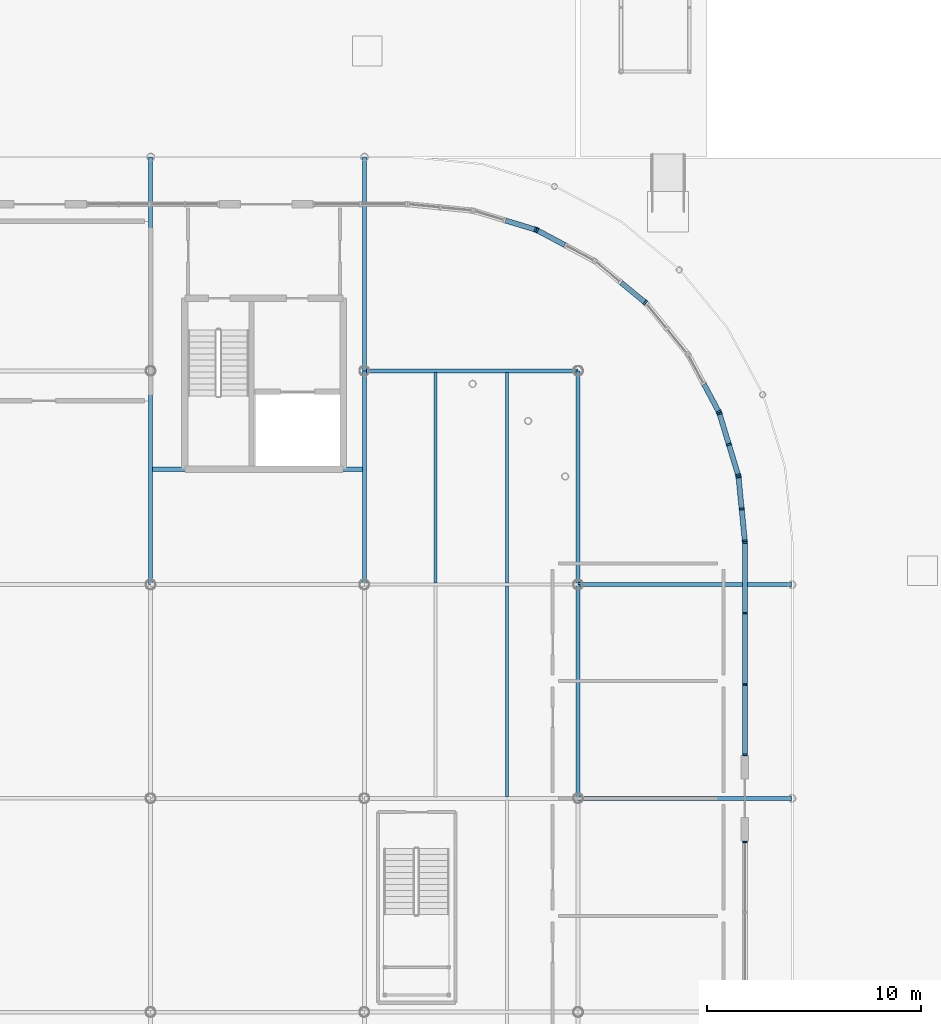
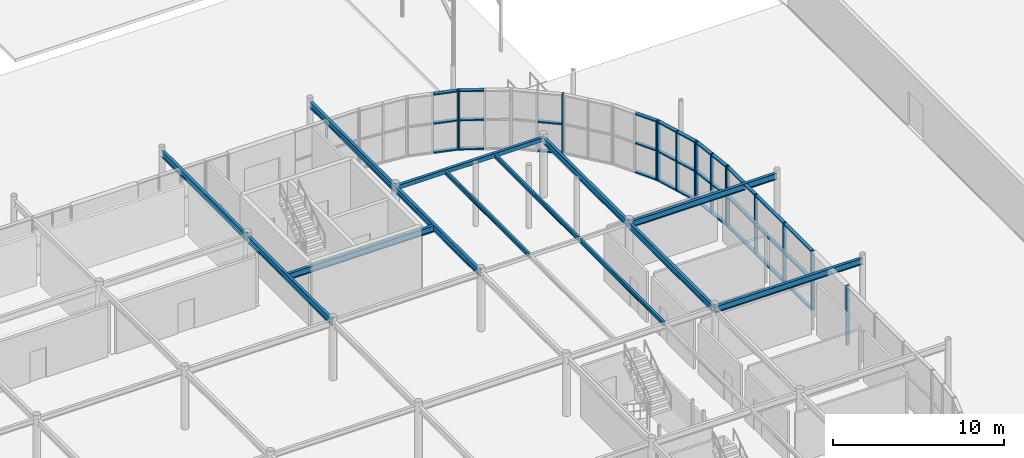
# One storey, part 68 of 119: 47 members, 13 beams, 8 elements without a shape of their own.
"""IFC4 building model written with IfcOpenShell, lengths in metres."""

from ifc_helpers import new_model, si_unit, derived_unit, direction, frame, origin, origin_2d_with_axis, place, context, subcontext, project, spatial, rectangle, hollow_rectangle, i_section, extrude, material, material_profile, profile_set, type_object, element, aggregate, save


model = new_model("IFC4")

# Units and contexts
model_context = context("Model", 3, precision=1e-05, world=origin(), true_north=direction((0.0, 1.0)))
body_context = subcontext(model_context, "Body", "Model", "MODEL_VIEW")
ifc_project = project(units=[si_unit("LENGTHUNIT", "METRE"), si_unit("AREAUNIT", "SQUARE_METRE"), si_unit("VOLUMEUNIT", "CUBIC_METRE"), si_unit("PLANEANGLEUNIT", "RADIAN"), si_unit("MASSUNIT", "GRAM", prefix="KILO"), derived_unit("THERMALTRANSMITTANCEUNIT", [(si_unit("POWERUNIT", "WATT"), 1), (si_unit("LENGTHUNIT", "METRE"), -2), (si_unit("THERMODYNAMICTEMPERATUREUNIT", "KELVIN"), -1)])], contexts=[model_context])

# Site, building, storey
site_placement = place(None, origin())
site = spatial("IfcSite", under=ifc_project, at=site_placement, CompositionType="ELEMENT")
building_placement = place(site_placement, origin())
building = spatial("IfcBuilding", under=site, at=building_placement, Name="Cinnabar Yard Market Hall", CompositionType="ELEMENT")
storey_placement = place(building_placement, origin())
storey = spatial("IfcBuildingStorey", under=building, at=storey_placement, Name="L00", CompositionType="ELEMENT", Elevation=0.0)

# Beams
ifc_material_1 = material(Name="Steel Grade 300 (300 MPa)", Category="steel")
ifc_material_profile_1 = material_profile(ifc_material_1, i_section(OverallWidth=0.18994140625, OverallDepth=0.453857421875, WebThickness=0.008544921875, FlangeThickness=0.0126953125, FilletRadius=0.011474609375, at=origin_2d_with_axis()), Name="460UB67.1")
ifc_profile_set_1 = profile_set([ifc_material_profile_1], Name="Steel Grade 300 (300 MPa)")
beam_type_1 = type_object("IfcBeamType", Name="BM-B05", PredefinedType="BEAM", material=ifc_profile_set_1)
beam_1_placement = place(storey_placement, frame((136.080078125, 59.39990234375, 4.01318359375), z_axis=(1.0, 0.0, 0.0), x_axis=(0.0, 1.0, 0.0)))
element("IfcBeam", 1, at=beam_1_placement, inside=storey, type_object=beam_type_1, Name="L00 Core Trimmer Girder 00144", PredefinedType="BEAM", context=body_context, shape_type="SweptSolid", body=[
    extrude(i_section(OverallWidth=0.18994140625, OverallDepth=0.453857421875, WebThickness=0.008544921875, FlangeThickness=0.0126953125, FilletRadius=0.011474609375, at=origin_2d_with_axis()), origin(), (0.0, 0.0, 1.0), 9.83984375),
])
for number, where, z_axis, x_axis, name in (
    (2, (136.0, 54.0, 4.01318359375), (0.0, 1.0, 0.0), (-1.0, 0.0, 0.0), "L00 Gallery Girder Y 00236"),
    (3, (146.0, 54.0, 4.01318359375), (0.0, 1.0, 0.0), (-1.0, 0.0, 0.0), "L00 Gallery Girder Y 00244"),
    (4, (156.0, 44.0, 4.01318359375), (0.0, 1.0, 0.0), (-1.0, 0.0, 0.0), "L00 Gallery Girder Y 00249"),
    (5, (156.0, 54.0, 4.01318359375), (0.0, 1.0, 0.0), (-1.0, 0.0, 0.0), "L00 Gallery Girder Y 00250"),
):
    element("IfcBeam", number, at=place(storey_placement, frame(where, z_axis=z_axis, x_axis=x_axis)), inside=storey, type_object=beam_type_1, Name=name, PredefinedType="BEAM", context=body_context, shape_type="SweptSolid", body=[
        extrude(i_section(OverallWidth=0.18994140625, OverallDepth=0.453857421875, WebThickness=0.008544921875, FlangeThickness=0.0126953125, FilletRadius=0.011474609375, at=origin_2d_with_axis()), origin(), (0.0, 0.0, 1.0), 10.0),
    ])
ifc_material_profile_2 = material_profile(ifc_material_1, i_section(OverallWidth=0.18994140625, OverallDepth=0.453857421875, WebThickness=0.008544921875, FlangeThickness=0.0126953125, FilletRadius=0.011474609375, at=origin_2d_with_axis()), Name="460UB67.1")
ifc_profile_set_2 = profile_set([ifc_material_profile_2], Name="Steel Grade 300 (300 MPa)")
beam_type_2 = type_object("IfcBeamType", Name="BM-B05E", PredefinedType="BEAM", material=ifc_profile_set_2)
for number, where, z_axis, x_axis, name in (
    (6, (136.0, 64.0, 4.01318359375), (0.0, 1.0, 0.0), (-1.0, 0.0, 0.0), "L00 Gallery North Tie 00193"),
    (7, (146.0, 64.0, 4.01318359375), (0.0, 1.0, 0.0), (-1.0, 0.0, 0.0), "L00 Gallery North Tie 00195"),
    (8, (156.0, 44.0, 4.01318359375), (1.0, 0.0, 0.0), (0.0, 1.0, 0.0), "L00 Gallery East Tie 00199"),
    (9, (156.0, 54.0, 4.01318359375), (1.0, 0.0, 0.0), (0.0, 1.0, 0.0), "L00 Gallery East Tie 00201"),
):
    element("IfcBeam", number, at=place(storey_placement, frame(where, z_axis=z_axis, x_axis=x_axis)), inside=storey, type_object=beam_type_2, Name=name, PredefinedType="BEAM", context=body_context, shape_type="SweptSolid", body=[
        extrude(i_section(OverallWidth=0.18994140625, OverallDepth=0.453857421875, WebThickness=0.008544921875, FlangeThickness=0.0126953125, FilletRadius=0.011474609375, at=origin_2d_with_axis()), origin(), (0.0, 0.0, 1.0), 10.0),
    ])
ifc_material_profile_3 = material_profile(ifc_material_1, i_section(OverallWidth=0.14892578125, OverallDepth=0.298095703125, WebThickness=0.005615234375, FlangeThickness=0.008056640625, FilletRadius=0.0087890625, at=origin_2d_with_axis()), Name="310UB32.0")
ifc_profile_set_3 = profile_set([ifc_material_profile_3], Name="Steel Grade 300 (300 MPa)")
beam_type_3 = type_object("IfcBeamType", Name="BM-J02", PredefinedType="JOIST", material=ifc_profile_set_3)
for number, where, z_axis, x_axis, name in (
    (10, (152.669921875, 44.074951171875, 4.091064453125), (0.0, 1.0, 0.0), (-1.0, 0.0, 0.0), "L00 Gallery Joist 00243"),
    (11, (149.330078125, 54.074951171875, 4.091064453125), (0.0, 1.0, 0.0), (-1.0, 0.0, 0.0), "L00 Gallery Joist 00245"),
    (12, (152.669921875, 54.074951171875, 4.091064453125), (0.0, 1.0, 0.0), (-1.0, 0.0, 0.0), "L00 Gallery Joist 00246"),
):
    element("IfcBeam", number, at=place(storey_placement, frame(where, z_axis=z_axis, x_axis=x_axis)), inside=storey, type_object=beam_type_3, Name=name, PredefinedType="JOIST", context=body_context, shape_type="SweptSolid", body=[
        extrude(i_section(OverallWidth=0.14892578125, OverallDepth=0.298095703125, WebThickness=0.005615234375, FlangeThickness=0.008056640625, FilletRadius=0.0087890625, at=origin_2d_with_axis()), origin(), (0.0, 0.0, 1.0), 9.85009765625),
    ])
ifc_material_2 = material(Name="Cold-formed steel C350L0", Category="steel")
ifc_material_profile_4 = material_profile(ifc_material_2, hollow_rectangle(XDim=0.199951171875, YDim=0.300048828125, WallThickness=0.008056640625, InnerFilletRadius=0.008056640625, OuterFilletRadius=0.01611328125, at=origin_2d_with_axis()), Name="300x200x8.0RHS")
ifc_profile_set_4 = profile_set([ifc_material_profile_4], Name="Cold-formed steel C350L0")
beam_type_4 = type_object("IfcBeamType", Name="BM-SP04", PredefinedType="SPANDREL", material=ifc_profile_set_4)
beam_2_placement = place(storey_placement, frame((146.0, 64.0, 4.090087890625), z_axis=(1.0, 0.0, 0.0), x_axis=(0.0, 1.0, 0.0)))
element("IfcBeam", 13, at=beam_2_placement, inside=storey, type_object=beam_type_4, Name="L00 Gallery Girder X 00181", PredefinedType="SPANDREL", context=body_context, shape_type="SweptSolid", body=[
    extrude(hollow_rectangle(XDim=0.199951171875, YDim=0.300048828125, WallThickness=0.008056640625, InnerFilletRadius=0.008056640625, OuterFilletRadius=0.01611328125, at=origin_2d_with_axis()), origin(), (0.0, 0.0, 1.0), 10.0),
])

# Curtain wall, members
ifc_material_3 = material(Name="Anodised bronze aluminium curved-chord facade", Category="aluminium")
curtain_wall_type_1 = type_object("IfcCurtainWallType", Name="CW-CWC031x42", PredefinedType="NOTDEFINED", material=ifc_material_3)
curtain_wall_1_placement = place(storey_placement, origin())
curtain_wall_1 = element("IfcCurtainWall", 14, at=curtain_wall_1_placement, inside=storey, type_object=curtain_wall_type_1, Name="Corner NE Chord 1 L00", PredefinedType="NOTDEFINED")
ifc_material_4 = material(Name="Anodised bronze aluminium", Category="aluminium")
ifc_material_profile_5 = material_profile(ifc_material_4, rectangle(XDim=0.239990234375, YDim=0.090087890625, at=origin_2d_with_axis()), Name="MUL-CWC")
ifc_profile_set_5 = profile_set([ifc_material_profile_5], Name="Anodised bronze aluminium")
member_type_1 = type_object("IfcMemberType", Name="CWM-CWC", PredefinedType="MULLION", material=ifc_profile_set_5)
member_1_placement = place(storey_placement, frame((163.795654296875, 56.044677734375, 0.0), z_axis=(0.0, 0.0, 1.0), x_axis=(-0.995184408637, -0.098020369342, 0.0)))
member_1 = element("IfcMember", 15, at=member_1_placement, type_object=member_type_1, Name="CWC031x42 mullion 1", PredefinedType="MULLION", context=body_context, shape_type="SweptSolid", body=[
    extrude(rectangle(XDim=0.239990234375, YDim=0.090087890625, at=origin_2d_with_axis()), origin(), (0.0, 0.0, 1.0), 4.239990234375),
])
member_2_placement = place(storey_placement, frame((163.648193359375, 57.541259765625, 0.0), z_axis=(0.0, 0.0, 1.0), x_axis=(-0.995184408637, -0.098020369342, 0.0)))
member_2 = element("IfcMember", 16, at=member_2_placement, type_object=member_type_1, Name="CWC031x42 mullion 2", PredefinedType="MULLION", context=body_context, shape_type="SweptSolid", body=[
    extrude(rectangle(XDim=0.239990234375, YDim=0.090087890625, at=origin_2d_with_axis()), origin(), (0.0, 0.0, 1.0), 4.239990234375),
])
member_3_placement = place(storey_placement, frame((163.500732421875, 59.03759765625, 0.0), z_axis=(0.0, 0.0, 1.0), x_axis=(-0.995184408637, -0.098020369342, 0.0)))
member_3 = element("IfcMember", 17, at=member_3_placement, type_object=member_type_1, Name="CWC031x42 mullion 3", PredefinedType="MULLION", context=body_context, shape_type="SweptSolid", body=[
    extrude(rectangle(XDim=0.239990234375, YDim=0.090087890625, at=origin_2d_with_axis()), origin(), (0.0, 0.0, 1.0), 4.239990234375),
])

curtain_wall_2_placement = place(storey_placement, origin())
curtain_wall_2 = element("IfcCurtainWall", 18, at=curtain_wall_2_placement, inside=storey, type_object=curtain_wall_type_1, Name="Corner NE Chord 2 L00", PredefinedType="NOTDEFINED")
member_4_placement = place(storey_placement, frame((163.4833984375, 59.12548828125, 0.0), z_axis=(0.0, 0.0, 1.0), x_axis=(-0.956942090856, -0.290278891325, 0.0)))
member_4 = element("IfcMember", 19, at=member_4_placement, type_object=member_type_1, Name="CWC031x42 mullion 1", PredefinedType="MULLION", context=body_context, shape_type="SweptSolid", body=[
    extrude(rectangle(XDim=0.239990234375, YDim=0.090087890625, at=origin_2d_with_axis()), origin(), (0.0, 0.0, 1.0), 4.239990234375),
])
member_5_placement = place(storey_placement, frame((163.046875, 60.564453125, 0.0), z_axis=(0.0, 0.0, 1.0), x_axis=(-0.956942090856, -0.290278891325, 0.0)))
member_5 = element("IfcMember", 20, at=member_5_placement, type_object=member_type_1, Name="CWC031x42 mullion 2", PredefinedType="MULLION", context=body_context, shape_type="SweptSolid", body=[
    extrude(rectangle(XDim=0.239990234375, YDim=0.090087890625, at=origin_2d_with_axis()), origin(), (0.0, 0.0, 1.0), 4.239990234375),
])
member_6_placement = place(storey_placement, frame((162.6103515625, 62.00341796875, 0.0), z_axis=(0.0, 0.0, 1.0), x_axis=(-0.956942090856, -0.290278891325, 0.0)))
member_6 = element("IfcMember", 21, at=member_6_placement, type_object=member_type_1, Name="CWC031x42 mullion 3", PredefinedType="MULLION", context=body_context, shape_type="SweptSolid", body=[
    extrude(rectangle(XDim=0.239990234375, YDim=0.090087890625, at=origin_2d_with_axis()), origin(), (0.0, 0.0, 1.0), 4.239990234375),
])

# Curtain wall, member
curtain_wall_3_placement = place(storey_placement, origin())
curtain_wall_3 = element("IfcCurtainWall", 22, at=curtain_wall_3_placement, inside=storey, type_object=curtain_wall_type_1, Name="Corner NE Chord 3 L00", PredefinedType="NOTDEFINED")
member_7_placement = place(storey_placement, frame((162.576171875, 62.086181640625, 0.0), z_axis=(0.0, 0.0, 1.0), x_axis=(-0.881917320707, -0.471404114786, 0.0)))
member_7 = element("IfcMember", 23, at=member_7_placement, type_object=member_type_1, Name="CWC031x42 mullion 1", PredefinedType="MULLION", context=body_context, shape_type="SweptSolid", body=[
    extrude(rectangle(XDim=0.239990234375, YDim=0.090087890625, at=origin_2d_with_axis()), origin(), (0.0, 0.0, 1.0), 4.239990234375),
])

curtain_wall_4_placement = place(storey_placement, origin())
curtain_wall_4 = element("IfcCurtainWall", 24, at=curtain_wall_4_placement, inside=storey, type_object=curtain_wall_type_1, Name="Corner NE Chord 5 L00", PredefinedType="NOTDEFINED")
member_8_placement = place(storey_placement, frame((159.137451171875, 67.200927734375, 0.0), z_axis=(0.0, 0.0, 1.0), x_axis=(-0.634383400924, -0.773018564222, 0.0)))
member_8 = element("IfcMember", 25, at=member_8_placement, type_object=member_type_1, Name="CWC031x42 mullion 1", PredefinedType="MULLION", context=body_context, shape_type="SweptSolid", body=[
    extrude(rectangle(XDim=0.239990234375, YDim=0.090087890625, at=origin_2d_with_axis()), origin(), (0.0, 0.0, 1.0), 4.239990234375),
])

curtain_wall_5_placement = place(storey_placement, origin())
curtain_wall_5 = element("IfcCurtainWall", 26, at=curtain_wall_5_placement, inside=storey, type_object=curtain_wall_type_1, Name="Corner NE Chord 6 L00", PredefinedType="NOTDEFINED")
member_9_placement = place(storey_placement, frame((154.086181640625, 70.576171875, 0.0), z_axis=(0.0, 0.0, 1.0), x_axis=(-0.471404114786, -0.881917320707, 0.0)))
member_9 = element("IfcMember", 27, at=member_9_placement, type_object=member_type_1, Name="CWC031x42 mullion 3", PredefinedType="MULLION", context=body_context, shape_type="SweptSolid", body=[
    extrude(rectangle(XDim=0.239990234375, YDim=0.090087890625, at=origin_2d_with_axis()), origin(), (0.0, 0.0, 1.0), 4.239990234375),
])

curtain_wall_6_placement = place(storey_placement, origin())
curtain_wall_6 = element("IfcCurtainWall", 28, at=curtain_wall_6_placement, inside=storey, type_object=curtain_wall_type_1, Name="Corner NE Chord 7 L00", PredefinedType="NOTDEFINED")
member_10_placement = place(storey_placement, frame((154.00341796875, 70.6103515625, 0.0), z_axis=(0.0, 0.0, 1.0), x_axis=(-0.290278891325, -0.956942090856, 0.0)))
member_10 = element("IfcMember", 29, at=member_10_placement, type_object=member_type_1, Name="CWC031x42 mullion 1", PredefinedType="MULLION", context=body_context, shape_type="SweptSolid", body=[
    extrude(rectangle(XDim=0.239990234375, YDim=0.090087890625, at=origin_2d_with_axis()), origin(), (0.0, 0.0, 1.0), 4.239990234375),
])

ifc_material_5 = material(Name="Anodised bronze aluminium and low-E glass", Category="aluminium")
curtain_wall_type_2 = type_object("IfcCurtainWallType", Name="CW-CWH100x42", PredefinedType="NOTDEFINED", material=ifc_material_5)
curtain_wall_7_placement = place(storey_placement, origin())
curtain_wall_7 = element("IfcCurtainWall", 30, at=curtain_wall_7_placement, inside=storey, type_object=curtain_wall_type_2, Name="Market Hall East Ground Glazing W1", PredefinedType="NOTDEFINED")
ifc_material_profile_6 = material_profile(ifc_material_4, rectangle(XDim=0.219970703125, YDim=0.080078125, at=origin_2d_with_axis()), Name="MUL-CWH")
ifc_profile_set_6 = profile_set([ifc_material_profile_6], Name="Anodised bronze aluminium")
member_type_2 = type_object("IfcMemberType", Name="CWM-CWH", PredefinedType="MULLION", material=ifc_profile_set_6)
member_11_placement = place(storey_placement, frame((163.800048828125, 41.9599609375, 0.0), z_axis=(0.0, 0.0, 1.0), x_axis=(-1.0, 0.0, 0.0)))
member_11 = element("IfcMember", 31, at=member_11_placement, type_object=member_type_2, Name="CWH100x42 mullion 4", PredefinedType="MULLION", context=body_context, shape_type="SweptSolid", body=[
    extrude(rectangle(XDim=0.219970703125, YDim=0.080078125, at=origin_2d_with_axis()), origin(), (0.0, 0.0, 1.0), 4.239990234375),
])
aggregate(curtain_wall_7, [member_11])

# Curtain wall, members
curtain_wall_8_placement = place(storey_placement, origin())
curtain_wall_8 = element("IfcCurtainWall", 32, at=curtain_wall_8_placement, inside=storey, type_object=curtain_wall_type_2, Name="Market Hall East Ground Glazing W2", PredefinedType="NOTDEFINED")
member_12_placement = place(storey_placement, frame((163.800048828125, 46.0400390625, 0.0), z_axis=(0.0, 0.0, 1.0), x_axis=(-1.0, 0.0, 0.0)))
member_12 = element("IfcMember", 33, at=member_12_placement, type_object=member_type_2, Name="CWH100x42 mullion 1", PredefinedType="MULLION", context=body_context, shape_type="SweptSolid", body=[
    extrude(rectangle(XDim=0.219970703125, YDim=0.080078125, at=origin_2d_with_axis()), origin(), (0.0, 0.0, 1.0), 4.239990234375),
])
member_13_placement = place(storey_placement, frame((163.800048828125, 49.333251953125, 0.0), z_axis=(0.0, 0.0, 1.0), x_axis=(-1.0, 0.0, 0.0)))
member_13 = element("IfcMember", 34, at=member_13_placement, type_object=member_type_2, Name="CWH100x42 mullion 2", PredefinedType="MULLION", context=body_context, shape_type="SweptSolid", body=[
    extrude(rectangle(XDim=0.219970703125, YDim=0.080078125, at=origin_2d_with_axis()), origin(), (0.0, 0.0, 1.0), 4.239990234375),
])
member_14_placement = place(storey_placement, frame((163.800048828125, 52.666748046875, 0.0), z_axis=(0.0, 0.0, 1.0), x_axis=(-1.0, 0.0, 0.0)))
member_14 = element("IfcMember", 35, at=member_14_placement, type_object=member_type_2, Name="CWH100x42 mullion 3", PredefinedType="MULLION", context=body_context, shape_type="SweptSolid", body=[
    extrude(rectangle(XDim=0.219970703125, YDim=0.080078125, at=origin_2d_with_axis()), origin(), (0.0, 0.0, 1.0), 4.239990234375),
])
member_15_placement = place(storey_placement, frame((163.800048828125, 55.9599609375, 0.0), z_axis=(0.0, 0.0, 1.0), x_axis=(-1.0, 0.0, 0.0)))
member_15 = element("IfcMember", 36, at=member_15_placement, type_object=member_type_2, Name="CWH100x42 mullion 4", PredefinedType="MULLION", context=body_context, shape_type="SweptSolid", body=[
    extrude(rectangle(XDim=0.219970703125, YDim=0.080078125, at=origin_2d_with_axis()), origin(), (0.0, 0.0, 1.0), 4.239990234375),
])

# Member
ifc_material_profile_7 = material_profile(ifc_material_4, rectangle(XDim=0.239990234375, YDim=0.090087890625, at=origin_2d_with_axis()), Name="TRN-CWC")
ifc_profile_set_7 = profile_set([ifc_material_profile_7], Name="Anodised bronze aluminium")
member_type_3 = type_object("IfcMemberType", Name="CWT-CWC", PredefinedType="USERDEFINED", material=ifc_profile_set_7)
member_16_placement = place(storey_placement, frame((163.791259765625, 56.089599609375, 0.044921875), z_axis=(-0.098101390058, 0.995176425197, 0.0), x_axis=(-0.995176425197, -0.098101390058, 0.0)))
member_16 = element("IfcMember", 37, at=member_16_placement, type_object=member_type_3, Name="CWC031x42 transom 1.1", ObjectType="TRANSOM", PredefinedType="USERDEFINED", context=body_context, shape_type="SweptSolid", body=[
    extrude(rectangle(XDim=0.239990234375, YDim=0.090087890625, at=origin_2d_with_axis()), origin(), (0.0, 0.0, 1.0), 1.41357421875),
])

member_17_placement = place(storey_placement, frame((163.791259765625, 56.089599609375, 2.1201171875), z_axis=(-0.098101390058, 0.995176425197, 0.0), x_axis=(-0.995176425197, -0.098101390058, 0.0)))
member_17 = element("IfcMember", 38, at=member_17_placement, type_object=member_type_3, Name="CWC031x42 transom 1.2", ObjectType="TRANSOM", PredefinedType="USERDEFINED", context=body_context, shape_type="SweptSolid", body=[
    extrude(rectangle(XDim=0.239990234375, YDim=0.090087890625, at=origin_2d_with_axis()), origin(), (0.0, 0.0, 1.0), 1.41357421875),
])

member_18_placement = place(storey_placement, frame((163.791259765625, 56.089599609375, 4.195068359375), z_axis=(-0.098101390058, 0.995176425197, 0.0), x_axis=(-0.995176425197, -0.098101390058, 0.0)))
member_18 = element("IfcMember", 39, at=member_18_placement, type_object=member_type_3, Name="CWC031x42 transom 1.3", ObjectType="TRANSOM", PredefinedType="USERDEFINED", context=body_context, shape_type="SweptSolid", body=[
    extrude(rectangle(XDim=0.239990234375, YDim=0.090087890625, at=origin_2d_with_axis()), origin(), (0.0, 0.0, 1.0), 1.41357421875),
])

member_19_placement = place(storey_placement, frame((163.643798828125, 57.5859375, 0.044921875), z_axis=(-0.098084531214, 0.995178086946, 0.0), x_axis=(-0.995178086946, -0.098084531214, 0.0)))
member_19 = element("IfcMember", 40, at=member_19_placement, type_object=member_type_3, Name="CWC031x42 transom 2.1", ObjectType="TRANSOM", PredefinedType="USERDEFINED", context=body_context, shape_type="SweptSolid", body=[
    extrude(rectangle(XDim=0.239990234375, YDim=0.090087890625, at=origin_2d_with_axis()), origin(), (0.0, 0.0, 1.0), 1.413818359375),
])

member_20_placement = place(storey_placement, frame((163.643798828125, 57.5859375, 2.1201171875), z_axis=(-0.098084531214, 0.995178086946, 0.0), x_axis=(-0.995178086946, -0.098084531214, 0.0)))
member_20 = element("IfcMember", 41, at=member_20_placement, type_object=member_type_3, Name="CWC031x42 transom 2.2", ObjectType="TRANSOM", PredefinedType="USERDEFINED", context=body_context, shape_type="SweptSolid", body=[
    extrude(rectangle(XDim=0.239990234375, YDim=0.090087890625, at=origin_2d_with_axis()), origin(), (0.0, 0.0, 1.0), 1.413818359375),
])

member_21_placement = place(storey_placement, frame((163.643798828125, 57.5859375, 4.195068359375), z_axis=(-0.098084531214, 0.995178086946, 0.0), x_axis=(-0.995178086946, -0.098084531214, 0.0)))
member_21 = element("IfcMember", 42, at=member_21_placement, type_object=member_type_3, Name="CWC031x42 transom 2.3", ObjectType="TRANSOM", PredefinedType="USERDEFINED", context=body_context, shape_type="SweptSolid", body=[
    extrude(rectangle(XDim=0.239990234375, YDim=0.090087890625, at=origin_2d_with_axis()), origin(), (0.0, 0.0, 1.0), 1.413818359375),
])

aggregate(curtain_wall_1, [member_1, member_2, member_3, member_16, member_17, member_18, member_19, member_20, member_21])

member_22_placement = place(storey_placement, frame((163.47021484375, 59.16845703125, 0.044921875), z_axis=(-0.290309352341, 0.956932850279, 0.0), x_axis=(-0.956932850279, -0.290309352341, 0.0)))
member_22 = element("IfcMember", 43, at=member_22_placement, type_object=member_type_3, Name="CWC031x42 transom 1.1", ObjectType="TRANSOM", PredefinedType="USERDEFINED", context=body_context, shape_type="SweptSolid", body=[
    extrude(rectangle(XDim=0.239990234375, YDim=0.090087890625, at=origin_2d_with_axis()), origin(), (0.0, 0.0, 1.0), 1.41357421875),
])

member_23_placement = place(storey_placement, frame((163.47021484375, 59.16845703125, 2.1201171875), z_axis=(-0.290309352341, 0.956932850279, 0.0), x_axis=(-0.956932850279, -0.290309352341, 0.0)))
member_23 = element("IfcMember", 44, at=member_23_placement, type_object=member_type_3, Name="CWC031x42 transom 1.2", ObjectType="TRANSOM", PredefinedType="USERDEFINED", context=body_context, shape_type="SweptSolid", body=[
    extrude(rectangle(XDim=0.239990234375, YDim=0.090087890625, at=origin_2d_with_axis()), origin(), (0.0, 0.0, 1.0), 1.41357421875),
])

member_24_placement = place(storey_placement, frame((163.47021484375, 59.16845703125, 4.195068359375), z_axis=(-0.290309352341, 0.956932850279, 0.0), x_axis=(-0.956932850279, -0.290309352341, 0.0)))
member_24 = element("IfcMember", 45, at=member_24_placement, type_object=member_type_3, Name="CWC031x42 transom 1.3", ObjectType="TRANSOM", PredefinedType="USERDEFINED", context=body_context, shape_type="SweptSolid", body=[
    extrude(rectangle(XDim=0.239990234375, YDim=0.090087890625, at=origin_2d_with_axis()), origin(), (0.0, 0.0, 1.0), 1.41357421875),
])

member_25_placement = place(storey_placement, frame((163.03369140625, 60.607421875, 0.044921875), z_axis=(-0.290151195166, 0.956980816915, 0.0), x_axis=(-0.956980816915, -0.290151195166, 0.0)))
member_25 = element("IfcMember", 46, at=member_25_placement, type_object=member_type_3, Name="CWC031x42 transom 2.1", ObjectType="TRANSOM", PredefinedType="USERDEFINED", context=body_context, shape_type="SweptSolid", body=[
    extrude(rectangle(XDim=0.239990234375, YDim=0.090087890625, at=origin_2d_with_axis()), origin(), (0.0, 0.0, 1.0), 1.41357421875),
])

member_26_placement = place(storey_placement, frame((163.03369140625, 60.607421875, 2.1201171875), z_axis=(-0.290151195166, 0.956980816915, 0.0), x_axis=(-0.956980816915, -0.290151195166, 0.0)))
member_26 = element("IfcMember", 47, at=member_26_placement, type_object=member_type_3, Name="CWC031x42 transom 2.2", ObjectType="TRANSOM", PredefinedType="USERDEFINED", context=body_context, shape_type="SweptSolid", body=[
    extrude(rectangle(XDim=0.239990234375, YDim=0.090087890625, at=origin_2d_with_axis()), origin(), (0.0, 0.0, 1.0), 1.41357421875),
])

member_27_placement = place(storey_placement, frame((163.03369140625, 60.607421875, 4.195068359375), z_axis=(-0.290151195166, 0.956980816915, 0.0), x_axis=(-0.956980816915, -0.290151195166, 0.0)))
member_27 = element("IfcMember", 48, at=member_27_placement, type_object=member_type_3, Name="CWC031x42 transom 2.3", ObjectType="TRANSOM", PredefinedType="USERDEFINED", context=body_context, shape_type="SweptSolid", body=[
    extrude(rectangle(XDim=0.239990234375, YDim=0.090087890625, at=origin_2d_with_axis()), origin(), (0.0, 0.0, 1.0), 1.41357421875),
])

aggregate(curtain_wall_2, [member_4, member_5, member_6, member_22, member_23, member_24, member_25, member_26, member_27])

member_28_placement = place(storey_placement, frame((162.554931640625, 62.125732421875, 0.044921875), z_axis=(-0.471430533224, 0.881903198965, 0.0), x_axis=(-0.881903198965, -0.471430533224, 0.0)))
member_28 = element("IfcMember", 49, at=member_28_placement, type_object=member_type_3, Name="CWC031x42 transom 1.1", ObjectType="TRANSOM", PredefinedType="USERDEFINED", context=body_context, shape_type="SweptSolid", body=[
    extrude(rectangle(XDim=0.239990234375, YDim=0.090087890625, at=origin_2d_with_axis()), origin(), (0.0, 0.0, 1.0), 1.413818359375),
])

member_29_placement = place(storey_placement, frame((162.554931640625, 62.125732421875, 2.1201171875), z_axis=(-0.471430533224, 0.881903198965, 0.0), x_axis=(-0.881903198965, -0.471430533224, 0.0)))
member_29 = element("IfcMember", 50, at=member_29_placement, type_object=member_type_3, Name="CWC031x42 transom 1.2", ObjectType="TRANSOM", PredefinedType="USERDEFINED", context=body_context, shape_type="SweptSolid", body=[
    extrude(rectangle(XDim=0.239990234375, YDim=0.090087890625, at=origin_2d_with_axis()), origin(), (0.0, 0.0, 1.0), 1.413818359375),
])

member_30_placement = place(storey_placement, frame((162.554931640625, 62.125732421875, 4.195068359375), z_axis=(-0.471430533224, 0.881903198965, 0.0), x_axis=(-0.881903198965, -0.471430533224, 0.0)))
member_30 = element("IfcMember", 51, at=member_30_placement, type_object=member_type_3, Name="CWC031x42 transom 1.3", ObjectType="TRANSOM", PredefinedType="USERDEFINED", context=body_context, shape_type="SweptSolid", body=[
    extrude(rectangle(XDim=0.239990234375, YDim=0.090087890625, at=origin_2d_with_axis()), origin(), (0.0, 0.0, 1.0), 1.413818359375),
])

aggregate(curtain_wall_3, [member_7, member_28, member_29, member_30])

member_31_placement = place(storey_placement, frame((159.102783203125, 67.2294921875, 0.044921875), z_axis=(-0.773040795861, 0.634356309919, 0.0), x_axis=(-0.634356309919, -0.773040795861, 0.0)))
member_31 = element("IfcMember", 52, at=member_31_placement, type_object=member_type_3, Name="CWC031x42 transom 1.1", ObjectType="TRANSOM", PredefinedType="USERDEFINED", context=body_context, shape_type="SweptSolid", body=[
    extrude(rectangle(XDim=0.239990234375, YDim=0.090087890625, at=origin_2d_with_axis()), origin(), (0.0, 0.0, 1.0), 1.41357421875),
])

member_32_placement = place(storey_placement, frame((159.102783203125, 67.2294921875, 2.1201171875), z_axis=(-0.773040795861, 0.634356309919, 0.0), x_axis=(-0.634356309919, -0.773040795861, 0.0)))
member_32 = element("IfcMember", 53, at=member_32_placement, type_object=member_type_3, Name="CWC031x42 transom 1.2", ObjectType="TRANSOM", PredefinedType="USERDEFINED", context=body_context, shape_type="SweptSolid", body=[
    extrude(rectangle(XDim=0.239990234375, YDim=0.090087890625, at=origin_2d_with_axis()), origin(), (0.0, 0.0, 1.0), 1.41357421875),
])

aggregate(curtain_wall_4, [member_8, member_31, member_32])

member_33_placement = place(storey_placement, frame((155.37255859375, 69.888427734375, 0.044921875), z_axis=(-0.881903198965, 0.471430533224, 0.0), x_axis=(-0.471430533224, -0.881903198965, 0.0)))
member_33 = element("IfcMember", 54, at=member_33_placement, type_object=member_type_3, Name="CWC031x42 transom 2.1", ObjectType="TRANSOM", PredefinedType="USERDEFINED", context=body_context, shape_type="SweptSolid", body=[
    extrude(rectangle(XDim=0.239990234375, YDim=0.090087890625, at=origin_2d_with_axis()), origin(), (0.0, 0.0, 1.0), 1.413818359375),
])

member_34_placement = place(storey_placement, frame((155.37255859375, 69.888427734375, 2.1201171875), z_axis=(-0.881903198965, 0.471430533224, 0.0), x_axis=(-0.471430533224, -0.881903198965, 0.0)))
member_34 = element("IfcMember", 55, at=member_34_placement, type_object=member_type_3, Name="CWC031x42 transom 2.2", ObjectType="TRANSOM", PredefinedType="USERDEFINED", context=body_context, shape_type="SweptSolid", body=[
    extrude(rectangle(XDim=0.239990234375, YDim=0.090087890625, at=origin_2d_with_axis()), origin(), (0.0, 0.0, 1.0), 1.413818359375),
])

member_35_placement = place(storey_placement, frame((155.37255859375, 69.888427734375, 4.195068359375), z_axis=(-0.881903198965, 0.471430533224, 0.0), x_axis=(-0.471430533224, -0.881903198965, 0.0)))
member_35 = element("IfcMember", 56, at=member_35_placement, type_object=member_type_3, Name="CWC031x42 transom 2.3", ObjectType="TRANSOM", PredefinedType="USERDEFINED", context=body_context, shape_type="SweptSolid", body=[
    extrude(rectangle(XDim=0.239990234375, YDim=0.090087890625, at=origin_2d_with_axis()), origin(), (0.0, 0.0, 1.0), 1.413818359375),
])

aggregate(curtain_wall_5, [member_9, member_33, member_34, member_35])

member_36_placement = place(storey_placement, frame((153.960205078125, 70.62353515625, 0.044921875), z_axis=(-0.956980816915, 0.290151195166, 0.0), x_axis=(-0.290151195166, -0.956980816915, 0.0)))
member_36 = element("IfcMember", 57, at=member_36_placement, type_object=member_type_3, Name="CWC031x42 transom 1.1", ObjectType="TRANSOM", PredefinedType="USERDEFINED", context=body_context, shape_type="SweptSolid", body=[
    extrude(rectangle(XDim=0.239990234375, YDim=0.090087890625, at=origin_2d_with_axis()), origin(), (0.0, 0.0, 1.0), 1.41357421875),
])

member_37_placement = place(storey_placement, frame((153.960205078125, 70.62353515625, 2.1201171875), z_axis=(-0.956980816915, 0.290151195166, 0.0), x_axis=(-0.290151195166, -0.956980816915, 0.0)))
member_37 = element("IfcMember", 58, at=member_37_placement, type_object=member_type_3, Name="CWC031x42 transom 1.2", ObjectType="TRANSOM", PredefinedType="USERDEFINED", context=body_context, shape_type="SweptSolid", body=[
    extrude(rectangle(XDim=0.239990234375, YDim=0.090087890625, at=origin_2d_with_axis()), origin(), (0.0, 0.0, 1.0), 1.41357421875),
])

member_38_placement = place(storey_placement, frame((153.960205078125, 70.62353515625, 4.195068359375), z_axis=(-0.956980816915, 0.290151195166, 0.0), x_axis=(-0.290151195166, -0.956980816915, 0.0)))
member_38 = element("IfcMember", 59, at=member_38_placement, type_object=member_type_3, Name="CWC031x42 transom 1.3", ObjectType="TRANSOM", PredefinedType="USERDEFINED", context=body_context, shape_type="SweptSolid", body=[
    extrude(rectangle(XDim=0.239990234375, YDim=0.090087890625, at=origin_2d_with_axis()), origin(), (0.0, 0.0, 1.0), 1.41357421875),
])

aggregate(curtain_wall_6, [member_10, member_36, member_37, member_38])

ifc_material_profile_8 = material_profile(ifc_material_4, rectangle(XDim=0.219970703125, YDim=0.080078125, at=origin_2d_with_axis()), Name="TRN-CWH")
ifc_profile_set_8 = profile_set([ifc_material_profile_8], Name="Anodised bronze aluminium")
member_type_4 = type_object("IfcMemberType", Name="CWT-CWH", PredefinedType="USERDEFINED", material=ifc_profile_set_8)
member_39_placement = place(storey_placement, frame((163.800048828125, 46.080078125, 0.0400390625), z_axis=(0.0, 1.0, 0.0), x_axis=(-1.0, 0.0, 0.0)))
member_39 = element("IfcMember", 60, at=member_39_placement, type_object=member_type_4, Name="CWH100x42 transom 1.1", ObjectType="TRANSOM", PredefinedType="USERDEFINED", context=body_context, shape_type="SweptSolid", body=[
    extrude(rectangle(XDim=0.219970703125, YDim=0.080078125, at=origin_2d_with_axis()), origin(), (0.0, 0.0, 1.0), 3.213134765625),
])

member_40_placement = place(storey_placement, frame((163.800048828125, 46.080078125, 2.1201171875), z_axis=(0.0, 1.0, 0.0), x_axis=(-1.0, 0.0, 0.0)))
member_40 = element("IfcMember", 61, at=member_40_placement, type_object=member_type_4, Name="CWH100x42 transom 1.2", ObjectType="TRANSOM", PredefinedType="USERDEFINED", context=body_context, shape_type="SweptSolid", body=[
    extrude(rectangle(XDim=0.219970703125, YDim=0.080078125, at=origin_2d_with_axis()), origin(), (0.0, 0.0, 1.0), 3.213134765625),
])

member_41_placement = place(storey_placement, frame((163.800048828125, 46.080078125, 4.199951171875), z_axis=(0.0, 1.0, 0.0), x_axis=(-1.0, 0.0, 0.0)))
member_41 = element("IfcMember", 62, at=member_41_placement, type_object=member_type_4, Name="CWH100x42 transom 1.3", ObjectType="TRANSOM", PredefinedType="USERDEFINED", context=body_context, shape_type="SweptSolid", body=[
    extrude(rectangle(XDim=0.219970703125, YDim=0.080078125, at=origin_2d_with_axis()), origin(), (0.0, 0.0, 1.0), 3.213134765625),
])

member_42_placement = place(storey_placement, frame((163.800048828125, 49.373291015625, 0.0400390625), z_axis=(0.0, 1.0, 0.0), x_axis=(-1.0, 0.0, 0.0)))
member_42 = element("IfcMember", 63, at=member_42_placement, type_object=member_type_4, Name="CWH100x42 transom 2.1", ObjectType="TRANSOM", PredefinedType="USERDEFINED", context=body_context, shape_type="SweptSolid", body=[
    extrude(rectangle(XDim=0.219970703125, YDim=0.080078125, at=origin_2d_with_axis()), origin(), (0.0, 0.0, 1.0), 3.25341796875),
])

member_43_placement = place(storey_placement, frame((163.800048828125, 49.373291015625, 2.1201171875), z_axis=(0.0, 1.0, 0.0), x_axis=(-1.0, 0.0, 0.0)))
member_43 = element("IfcMember", 64, at=member_43_placement, type_object=member_type_4, Name="CWH100x42 transom 2.2", ObjectType="TRANSOM", PredefinedType="USERDEFINED", context=body_context, shape_type="SweptSolid", body=[
    extrude(rectangle(XDim=0.219970703125, YDim=0.080078125, at=origin_2d_with_axis()), origin(), (0.0, 0.0, 1.0), 3.25341796875),
])

member_44_placement = place(storey_placement, frame((163.800048828125, 49.373291015625, 4.199951171875), z_axis=(0.0, 1.0, 0.0), x_axis=(-1.0, 0.0, 0.0)))
member_44 = element("IfcMember", 65, at=member_44_placement, type_object=member_type_4, Name="CWH100x42 transom 2.3", ObjectType="TRANSOM", PredefinedType="USERDEFINED", context=body_context, shape_type="SweptSolid", body=[
    extrude(rectangle(XDim=0.219970703125, YDim=0.080078125, at=origin_2d_with_axis()), origin(), (0.0, 0.0, 1.0), 3.25341796875),
])

member_45_placement = place(storey_placement, frame((163.800048828125, 52.706787109375, 0.0400390625), z_axis=(0.0, 1.0, 0.0), x_axis=(-1.0, 0.0, 0.0)))
member_45 = element("IfcMember", 66, at=member_45_placement, type_object=member_type_4, Name="CWH100x42 transom 3.1", ObjectType="TRANSOM", PredefinedType="USERDEFINED", context=body_context, shape_type="SweptSolid", body=[
    extrude(rectangle(XDim=0.219970703125, YDim=0.080078125, at=origin_2d_with_axis()), origin(), (0.0, 0.0, 1.0), 3.213134765625),
])

member_46_placement = place(storey_placement, frame((163.800048828125, 52.706787109375, 2.1201171875), z_axis=(0.0, 1.0, 0.0), x_axis=(-1.0, 0.0, 0.0)))
member_46 = element("IfcMember", 67, at=member_46_placement, type_object=member_type_4, Name="CWH100x42 transom 3.2", ObjectType="TRANSOM", PredefinedType="USERDEFINED", context=body_context, shape_type="SweptSolid", body=[
    extrude(rectangle(XDim=0.219970703125, YDim=0.080078125, at=origin_2d_with_axis()), origin(), (0.0, 0.0, 1.0), 3.213134765625),
])

member_47_placement = place(storey_placement, frame((163.800048828125, 52.706787109375, 4.199951171875), z_axis=(0.0, 1.0, 0.0), x_axis=(-1.0, 0.0, 0.0)))
member_47 = element("IfcMember", 68, at=member_47_placement, type_object=member_type_4, Name="CWH100x42 transom 3.3", ObjectType="TRANSOM", PredefinedType="USERDEFINED", context=body_context, shape_type="SweptSolid", body=[
    extrude(rectangle(XDim=0.219970703125, YDim=0.080078125, at=origin_2d_with_axis()), origin(), (0.0, 0.0, 1.0), 3.213134765625),
])

aggregate(curtain_wall_8, [member_12, member_13, member_14, member_15, member_39, member_40, member_41, member_42, member_43, member_44, member_45, member_46, member_47])

save(model, "model.ifc")
